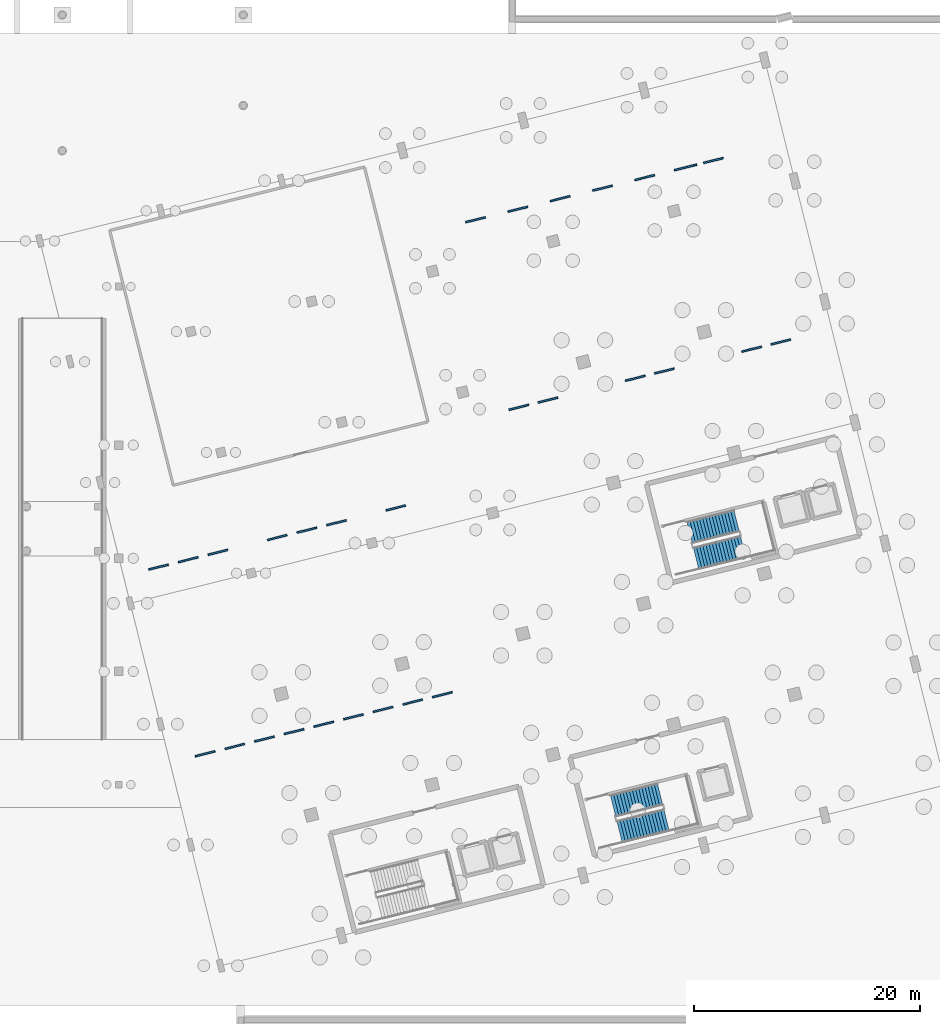
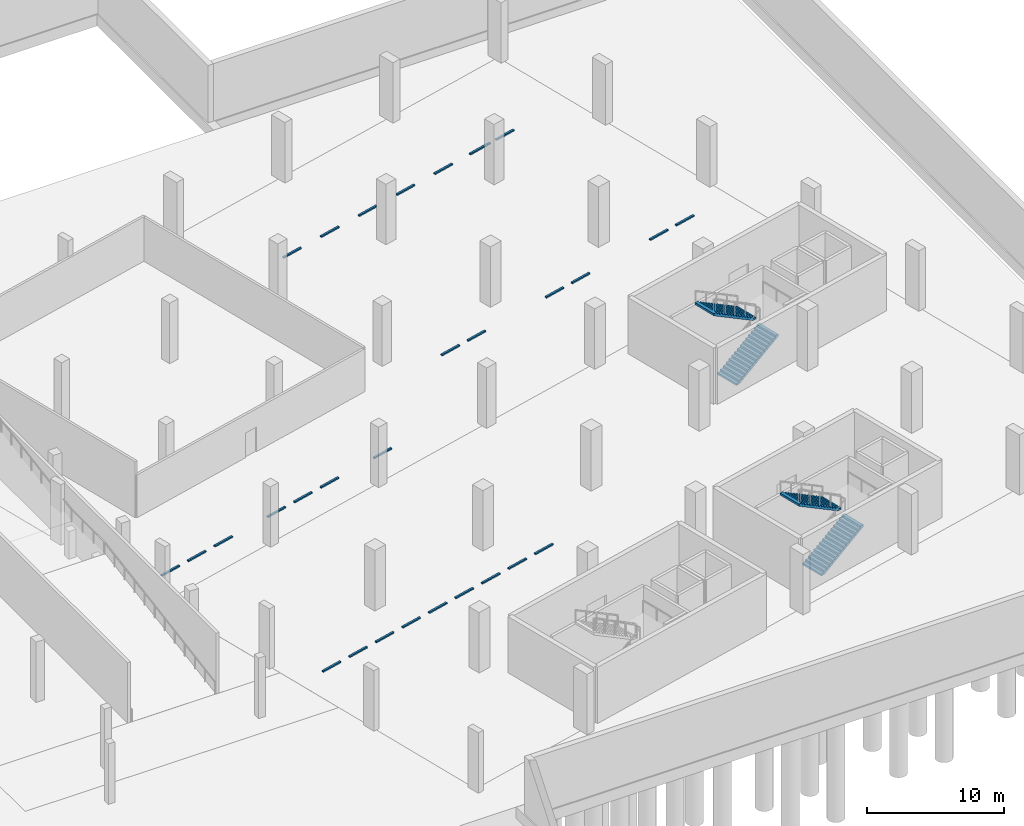
# One storey, part 58 of 65: 30 discrete accessories, 4 stair flights, 2 elements without a shape of their own.
"""IFC4 building model written with IfcOpenShell, lengths in metres."""

import ifcopenshell
import ifcopenshell.guid

model = None  # the IFC model being written
_history = None  # IfcOwnerHistory: only IFC2X3 demands one
_inside = {}  # id of a spatial element -> (the spatial element, [elements in it])
_under = {}  # id of a project, library or spatial element -> (it, [spatial elements below it])
_declared = {}  # id of a project -> (the project, [libraries it declares])
_typed = {}  # id of a type object -> (the type object, [elements of that type])
_made_of = {}  # id of a material, layer set ... -> (it, [elements and type objects made of it])


def new_model(schema):
    """Start an empty IFC model of exactly this schema.

    Asked for "IFC4X3", IfcOpenShell would pick the latest addendum, in which some entities
    have other attributes; the version numbers below select the first issue.
    IFC2X3 requires an IfcOwnerHistory on every rooted entity: one is made here for all.
    """
    global model, _history
    if schema == "IFC4X3":
        model = ifcopenshell.file(schema_version=(4, 3, 0, 0))
    else:
        model = ifcopenshell.file(schema=schema)
    _inside.clear()
    _under.clear()
    _declared.clear()
    _typed.clear()
    _made_of.clear()
    _history = None
    if model.schema == "IFC2X3":
        org = make("IfcOrganization", Name="unknown")
        user = make(
            "IfcPersonAndOrganization",
            ThePerson=make("IfcPerson", FamilyName="unknown"),
            TheOrganization=org,
        )
        app = make(
            "IfcApplication",
            ApplicationDeveloper=org,
            Version="unknown",
            ApplicationFullName="unknown",
            ApplicationIdentifier="unknown",
        )
        _history = make(
            "IfcOwnerHistory",
            OwningUser=user,
            OwningApplication=app,
            ChangeAction="ADDED",
            CreationDate=0,
        )
    return model


def make(cls, **values):
    """One entity of the class cls with the attributes given. An attribute that is None is left unset."""
    return model.create_entity(
        cls, **{name: value for name, value in values.items() if value is not None}
    )


def rooted(cls, **values):
    """An entity with a GlobalId (a new one), such as an element, a storey or a relation."""
    return make(cls, GlobalId=ifcopenshell.guid.new(), OwnerHistory=_history, **values)


def si_unit(unit_type, name, prefix=None):
    """IfcSIUnit, for example si_unit("LENGTHUNIT", "METRE", prefix="MILLI")."""
    return make("IfcSIUnit", UnitType=unit_type, Prefix=prefix, Name=name)


def assignment(units):
    """IfcUnitAssignment: the units of a project."""
    return None if units is None else make("IfcUnitAssignment", Units=units)


def point(xyz):
    """IfcCartesianPoint."""
    return None if xyz is None else make("IfcCartesianPoint", Coordinates=xyz)


def direction(xyz):
    """IfcDirection."""
    return None if xyz is None else make("IfcDirection", DirectionRatios=xyz)


def frame(location, z_axis=None, x_axis=None):
    """IfcAxis2Placement3D, a coordinate frame: its origin and axes. An axis left out is left unset."""
    return make(
        "IfcAxis2Placement3D",
        Location=point(location),
        Axis=direction(z_axis),
        RefDirection=direction(x_axis),
    )


def frame_2d(location, x_axis=None):
    """IfcAxis2Placement2D, a coordinate frame in the plane: its origin and x axis."""
    return make(
        "IfcAxis2Placement2D", Location=point(location), RefDirection=direction(x_axis)
    )


def origin():
    """The frame at (0, 0, 0) with its axes left unset."""
    return frame((0.0, 0.0, 0.0))


def origin_2d():
    """The frame at (0, 0) in the plane with its x axis left unset."""
    return frame_2d((0.0, 0.0))


def place(relative_to, where):
    """IfcLocalPlacement: puts the frame where relative to a parent placement (None: the world)."""
    return make(
        "IfcLocalPlacement", PlacementRelTo=relative_to, RelativePlacement=where
    )


def context(
    kind, dimensions, precision=None, world=None, true_north=None, identifier=None
):
    """IfcGeometricRepresentationContext, for example the 3D "Model" context."""
    return make(
        "IfcGeometricRepresentationContext",
        ContextIdentifier=identifier,
        ContextType=kind,
        CoordinateSpaceDimension=dimensions,
        Precision=precision,
        WorldCoordinateSystem=world,
        TrueNorth=true_north,
    )


def subcontext(parent, identifier, kind, view, scale=None):
    """IfcGeometricRepresentationSubContext, for example "Body" below "Model"."""
    return make(
        "IfcGeometricRepresentationSubContext",
        ContextIdentifier=identifier,
        ContextType=kind,
        ParentContext=parent,
        TargetScale=scale,
        TargetView=view,
    )


def project(units=None, contexts=None):
    """IfcProject with its units and contexts."""
    return rooted(
        "IfcProject",
        Name="project",
        RepresentationContexts=contexts,
        UnitsInContext=assignment(units),
    )


def spatial(cls, under=None, at=None, **own):
    """A site, building, storey or space (cls), placed at a placement, below another one or the project."""
    s = rooted(cls, ObjectPlacement=at, **own)
    if under is not None:
        _under.setdefault(under.id(), (under, []))[1].append(s)
    return s


def polyline(points):
    """IfcPolyline through the points."""
    return make("IfcPolyline", Points=[point(p) for p in points])


def profile(cls, at=None, kind="AREA", **sizes):
    """A parametric profile (cls). Its sizes go by their IFC names, for example OverallWidth=200.0."""
    return make(cls, ProfileType=kind, Position=at, **sizes)


def rectangle(**sizes):
    """IfcRectangleProfileDef."""
    return profile("IfcRectangleProfileDef", **sizes)


def outline(outer, holes=None, kind="AREA"):
    """IfcArbitraryClosedProfileDef: a profile drawn as a closed curve; with holes, ...WithVoids."""
    if holes is None:
        return make("IfcArbitraryClosedProfileDef", ProfileType=kind, OuterCurve=outer)
    return make(
        "IfcArbitraryProfileDefWithVoids",
        ProfileType=kind,
        OuterCurve=outer,
        InnerCurves=holes,
    )


def extrude(swept, where, along, depth):
    """IfcExtrudedAreaSolid: the profile swept, set in the frame where, extruded along a direction by depth."""
    return make(
        "IfcExtrudedAreaSolid",
        SweptArea=swept,
        Position=where,
        ExtrudedDirection=direction(along),
        Depth=depth,
    )


def shape(context_of_items, identifier, shape_type, items):
    """IfcShapeRepresentation: the items that make up one representation, for example the "Body"."""
    return make(
        "IfcShapeRepresentation",
        ContextOfItems=context_of_items,
        RepresentationIdentifier=identifier,
        RepresentationType=shape_type,
        Items=items,
    )


def material(Name=None, Category=None):
    """IfcMaterial."""
    return make("IfcMaterial", Name=Name, Category=Category)


def made_of(thing, what):
    """Note that an element or type object is made of a material, layer set ...; save() writes the relation."""
    if what is not None:
        _made_of.setdefault(what.id(), (what, []))[1].append(thing)
    return thing


def type_object(cls, material=None, **own):
    """A type object (cls), such as IfcWallType, which elements share."""
    return made_of(rooted(cls, **own), material)


def element(
    cls,
    number,
    at=None,
    inside=None,
    cuts=None,
    type_object=None,
    material=None,
    context=None,
    identifier="Body",
    shape_type=None,
    held_by="IfcProductDefinitionShape",
    body=None,
    shapes=None,
    **own,
):
    """One element of the class cls, such as IfcWall. Its Tag is "e" and its number.

    at: its placement. inside: the storey or other place that contains it. cuts: it is an
    opening in that element (IfcRelVoidsElement). A single representation is given by context,
    identifier, shape_type and body (its items); several are given by shapes. held_by: the class
    of the entity that holds the representations. save() writes the other relations.
    """
    e = rooted(cls, Tag="e%d" % number, ObjectPlacement=at, **own)
    if body is not None:
        shapes = [shape(context, identifier, shape_type, body)]
    if shapes is not None:
        e.Representation = make(held_by, Representations=shapes)
    if inside is not None:
        _inside.setdefault(inside.id(), (inside, []))[1].append(e)
    if cuts is not None:
        rooted(
            "IfcRelVoidsElement", RelatingBuildingElement=cuts, RelatedOpeningElement=e
        )
    if type_object is not None:
        _typed.setdefault(type_object.id(), (type_object, []))[1].append(e)
    return made_of(e, material)


def aggregate(whole, parts):
    """IfcRelAggregates: a whole, such as a stair, and the parts it consists of."""
    return rooted("IfcRelAggregates", RelatingObject=whole, RelatedObjects=parts)


def save(model, path):
    """Write the relations noted so far, then the file.

    IfcRelAggregates (storeys below a building ...), IfcRelContainedInSpatialStructure (elements
    in a storey), IfcRelDefinesByType, IfcRelAssociatesMaterial and IfcRelDeclares: one each for
    every whole, place, type object, material and project.
    """
    for whole, parts in _under.values():
        aggregate(whole, parts)
    for where, things in _inside.values():
        rooted(
            "IfcRelContainedInSpatialStructure",
            RelatedElements=things,
            RelatingStructure=where,
        )
    for kind, things in _typed.values():
        rooted("IfcRelDefinesByType", RelatedObjects=things, RelatingType=kind)
    for what, things in _made_of.values():
        rooted("IfcRelAssociatesMaterial", RelatedObjects=things, RelatingMaterial=what)
    for by, libraries in _declared.values():
        rooted("IfcRelDeclares", RelatingContext=by, RelatedDefinitions=libraries)
    model.write(path)


model = new_model("IFC4")

# Units and contexts
model_context = context("Model", 3, precision=1e-05, world=origin(), true_north=direction((0.0, 1.0)))
body_context = subcontext(model_context, "Body", "Model", "MODEL_VIEW")
ifc_project = project(units=[si_unit("LENGTHUNIT", "METRE"), si_unit("AREAUNIT", "SQUARE_METRE"), si_unit("VOLUMEUNIT", "CUBIC_METRE"), si_unit("PLANEANGLEUNIT", "RADIAN"), si_unit("MASSUNIT", "GRAM", prefix="KILO")], contexts=[model_context])

# Site, building, storey
site_placement = place(None, origin())
site = spatial("IfcSite", under=ifc_project, at=site_placement, CompositionType="ELEMENT")
building_placement = place(site_placement, origin())
building = spatial("IfcBuilding", under=site, at=building_placement, Name="Khorjan Park Terminus", CompositionType="ELEMENT")
storey_placement = place(building_placement, frame((0.0, 0.0, -5.4)))
storey = spatial("IfcBuildingStorey", under=building, at=storey_placement, Name="B1", CompositionType="ELEMENT", Elevation=-5.4)

# Stair, stair flights
ifc_material_1 = material(Name="Concrete C40/50", Category="concrete")
stair_type = type_object("IfcStairType", Name="STR-CORE-200", PredefinedType="HALF_TURN_STAIR", material=ifc_material_1)
stair_1_placement = place(storey_placement, origin())
stair_1 = element("IfcStair", 1, at=stair_1_placement, inside=storey, type_object=stair_type, Name="B1 Operations North-East Firefighting Core exit stair ST-04", PredefinedType="HALF_TURN_STAIR")
stair_flight_type = type_object("IfcStairFlightType", Name="FLT-STC-20", PredefinedType="STRAIGHT", material=ifc_material_1)
stair_flight_1_placement = place(storey_placement, frame((208.0033, 37.9803, 0.0), z_axis=(0.0, 0.0, 1.0), x_axis=(0.970295726276, 0.2419218956, 0.0)))
stair_flight_1 = element("IfcStairFlight", 2, at=stair_flight_1_placement, type_object=stair_flight_type, Name="ST-04 flight 1", NumberOfRisers=16, NumberOfTreads=15, PredefinedType="STRAIGHT", RiserHeight=0.16875, TreadLength=0.285, context=body_context, shape_type="SweptSolid", body=[
    extrude(outline(polyline([(0.0, 0.0), (0.0, 0.1688), (0.285, 0.1688), (0.285, 0.3375), (0.57, 0.3375), (0.57, 0.5063), (0.855, 0.5063), (0.855, 0.675), (1.14, 0.675), (1.14, 0.8438), (1.425, 0.8438), (1.425, 1.0125), (1.71, 1.0125), (1.71, 1.1813), (1.995, 1.1813), (1.995, 1.35), (2.28, 1.35), (2.28, 1.5188), (2.565, 1.5188), (2.565, 1.6875), (2.85, 1.6875), (2.85, 1.8563), (3.135, 1.8563), (3.135, 2.025), (3.42, 2.025), (3.42, 2.1938), (3.705, 2.1938), (3.705, 2.3625), (3.99, 2.3625), (3.99, 2.5312), (4.275, 2.5312), (4.275, 2.7), (4.275, 2.3453), (0.314, 0.0), (0.0, 0.0)])), frame((0.0, 1.0, 0.0), z_axis=(0.0, -1.0, 0.0), x_axis=(1.0, 0.0, 0.0)), (0.0, 0.0, 1.0), 2.0),
])
stair_flight_2_placement = place(storey_placement, frame((211.5804, 41.3044, 2.7), z_axis=(0.0, 0.0, 1.0), x_axis=(-0.970295726276, -0.2419218956, 0.0)))
stair_flight_2 = element("IfcStairFlight", 3, at=stair_flight_2_placement, type_object=stair_flight_type, Name="ST-04 flight 2", NumberOfRisers=16, NumberOfTreads=15, PredefinedType="STRAIGHT", RiserHeight=0.16875, TreadLength=0.285, context=body_context, shape_type="SweptSolid", body=[
    extrude(outline(polyline([(0.0, 0.0), (0.0, 0.1688), (0.285, 0.1688), (0.285, 0.3375), (0.57, 0.3375), (0.57, 0.5063), (0.855, 0.5063), (0.855, 0.675), (1.14, 0.675), (1.14, 0.8438), (1.425, 0.8438), (1.425, 1.0125), (1.71, 1.0125), (1.71, 1.1813), (1.995, 1.1813), (1.995, 1.35), (2.28, 1.35), (2.28, 1.5188), (2.565, 1.5188), (2.565, 1.6875), (2.85, 1.6875), (2.85, 1.8563), (3.135, 1.8563), (3.135, 2.025), (3.42, 2.025), (3.42, 2.1938), (3.705, 2.1938), (3.705, 2.3625), (3.99, 2.3625), (3.99, 2.5312), (4.275, 2.5312), (4.275, 2.7), (4.275, 2.3453), (0.314, 0.0), (0.0, 0.0)])), frame((0.0, 1.0, 0.0), z_axis=(0.0, -1.0, 0.0), x_axis=(1.0, 0.0, 0.0)), (0.0, 0.0, 1.0), 2.0),
])
aggregate(stair_1, [stair_flight_1, stair_flight_2])

stair_2_placement = place(storey_placement, origin())
stair_2 = element("IfcStair", 4, at=stair_2_placement, inside=storey, type_object=stair_type, Name="B1 Operations Central Command Core exit stair ST-05", PredefinedType="HALF_TURN_STAIR")
stair_flight_3_placement = place(storey_placement, frame((201.2455, 13.828, 0.0), z_axis=(0.0, 0.0, 1.0), x_axis=(0.970295726276, 0.2419218956, 0.0)))
stair_flight_3 = element("IfcStairFlight", 5, at=stair_flight_3_placement, type_object=stair_flight_type, Name="ST-05 flight 1", NumberOfRisers=16, NumberOfTreads=15, PredefinedType="STRAIGHT", RiserHeight=0.16875, TreadLength=0.285, context=body_context, shape_type="SweptSolid", body=[
    extrude(outline(polyline([(0.0, 0.0), (0.0, 0.1688), (0.285, 0.1688), (0.285, 0.3375), (0.57, 0.3375), (0.57, 0.5063), (0.855, 0.5063), (0.855, 0.675), (1.14, 0.675), (1.14, 0.8438), (1.425, 0.8438), (1.425, 1.0125), (1.71, 1.0125), (1.71, 1.1813), (1.995, 1.1813), (1.995, 1.35), (2.28, 1.35), (2.28, 1.5188), (2.565, 1.5188), (2.565, 1.6875), (2.85, 1.6875), (2.85, 1.8563), (3.135, 1.8563), (3.135, 2.025), (3.42, 2.025), (3.42, 2.1938), (3.705, 2.1938), (3.705, 2.3625), (3.99, 2.3625), (3.99, 2.5312), (4.275, 2.5312), (4.275, 2.7), (4.275, 2.3453), (0.314, 0.0), (0.0, 0.0)])), frame((0.0, 1.0, 0.0), z_axis=(0.0, -1.0, 0.0), x_axis=(1.0, 0.0, 0.0)), (0.0, 0.0, 1.0), 2.0),
])
stair_flight_4_placement = place(storey_placement, frame((204.8226, 17.1521, 2.7), z_axis=(0.0, 0.0, 1.0), x_axis=(-0.970295726276, -0.2419218956, 0.0)))
stair_flight_4 = element("IfcStairFlight", 6, at=stair_flight_4_placement, type_object=stair_flight_type, Name="ST-05 flight 2", NumberOfRisers=16, NumberOfTreads=15, PredefinedType="STRAIGHT", RiserHeight=0.16875, TreadLength=0.285, context=body_context, shape_type="SweptSolid", body=[
    extrude(outline(polyline([(0.0, 0.0), (0.0, 0.1688), (0.285, 0.1688), (0.285, 0.3375), (0.57, 0.3375), (0.57, 0.5063), (0.855, 0.5063), (0.855, 0.675), (1.14, 0.675), (1.14, 0.8438), (1.425, 0.8438), (1.425, 1.0125), (1.71, 1.0125), (1.71, 1.1813), (1.995, 1.1813), (1.995, 1.35), (2.28, 1.35), (2.28, 1.5188), (2.565, 1.5188), (2.565, 1.6875), (2.85, 1.6875), (2.85, 1.8563), (3.135, 1.8563), (3.135, 2.025), (3.42, 2.025), (3.42, 2.1938), (3.705, 2.1938), (3.705, 2.3625), (3.99, 2.3625), (3.99, 2.5312), (4.275, 2.5312), (4.275, 2.7), (4.275, 2.3453), (0.314, 0.0), (0.0, 0.0)])), frame((0.0, 1.0, 0.0), z_axis=(0.0, -1.0, 0.0), x_axis=(1.0, 0.0, 0.0)), (0.0, 0.0, 1.0), 2.0),
])
aggregate(stair_2, [stair_flight_3, stair_flight_4])

# Discrete accessories
ifc_material_2 = material(Name="Precast Concrete C40/50", Category="concrete")
discrete_accessory_type = type_object("IfcDiscreteAccessoryType", Name="ACC-WHL-STP", PredefinedType="ANCHORPLATE", material=ifc_material_2)
for number, where, z_axis, x_axis, name in (
    (7, (164.6294, 20.7246, 0.0), (0.0, 0.0, 1.0), (0.970295726276, 0.2419218956, 0.0), "Basement parking bay precast wheel stop WS-01 (1)"),
    (8, (167.2492, 21.3778, 0.0), (0.0, 0.0, 1.0), (0.970295726276, 0.2419218956, 0.0), "Basement parking bay precast wheel stop WS-01 (2)"),
    (9, (169.869, 22.031, 0.0), (0.0, 0.0, 1.0), (0.970295726276, 0.2419218956, 0.0), "Basement parking bay precast wheel stop WS-01 (3)"),
    (10, (172.4888, 22.6842, 0.0), (0.0, 0.0, 1.0), (0.970295726276, 0.2419218956, 0.0), "Basement parking bay precast wheel stop WS-01 (4)"),
    (11, (175.1086, 23.3374, 0.0), (0.0, 0.0, 1.0), (0.970295726276, 0.2419218956, 0.0), "Basement parking bay precast wheel stop WS-01 (5)"),
    (12, (177.7284, 23.9906, 0.0), (0.0, 0.0, 1.0), (0.970295726276, 0.2419218956, 0.0), "Basement parking bay precast wheel stop WS-01 (6)"),
    (13, (180.3482, 24.6438, 0.0), (0.0, 0.0, 1.0), (0.970295726276, 0.2419218956, 0.0), "Basement parking bay precast wheel stop WS-01 (7)"),
    (14, (182.968, 25.2969, 0.0), (0.0, 0.0, 1.0), (0.970295726276, 0.2419218956, 0.0), "Basement parking bay precast wheel stop WS-01 (8)"),
    (15, (185.5878, 25.9501, 0.0), (0.0, 0.0, 1.0), (0.970295726276, 0.2419218956, 0.0), "Basement parking bay precast wheel stop WS-01 (9)"),
    (16, (160.5167, 37.2196, 0.0), (0.0, 0.0, 1.0), (0.970295726276, 0.2419218956, 0.0), "Basement parking bay precast wheel stop WS-01 (10)"),
    (17, (163.1365, 37.8728, 0.0), (0.0, 0.0, 1.0), (0.970295726276, 0.2419218956, 0.0), "Basement parking bay precast wheel stop WS-01 (11)"),
    (18, (165.7563, 38.526, 0.0), (0.0, 0.0, 1.0), (0.970295726276, 0.2419218956, 0.0), "Basement parking bay precast wheel stop WS-01 (12)"),
    (19, (170.9959, 39.8324, 0.0), (0.0, 0.0, 1.0), (0.970295726276, 0.2419218956, 0.0), "Basement parking bay precast wheel stop WS-01 (13)"),
    (20, (173.6157, 40.4856, 0.0), (0.0, 0.0, 1.0), (0.970295726276, 0.2419218956, 0.0), "Basement parking bay precast wheel stop WS-01 (14)"),
    (21, (176.2355, 41.1388, 0.0), (0.0, 0.0, 1.0), (0.970295726276, 0.2419218956, 0.0), "Basement parking bay precast wheel stop WS-01 (15)"),
    (22, (181.4751, 42.4452, 0.0), (0.0, 0.0, 1.0), (0.970295726276, 0.2419218956, 0.0), "Basement parking bay precast wheel stop WS-01 (16)"),
    (23, (192.3463, 51.3393, 0.0), (0.0, 0.0, 1.0), (0.970295726276, 0.2419218956, 0.0), "Basement parking bay precast wheel stop WS-01 (17)"),
    (24, (194.9176, 51.9804, 0.0), (0.0, 0.0, 1.0), (0.970295726276, 0.2419218956, 0.0), "Basement parking bay precast wheel stop WS-01 (18)"),
    (25, (202.6315, 53.9037, 0.0), (0.0, 0.0, 1.0), (0.970295726276, 0.2419218956, 0.0), "Basement parking bay precast wheel stop WS-01 (19)"),
    (26, (205.2027, 54.5448, 0.0), (0.0, 0.0, 1.0), (0.970295726276, 0.2419218956, 0.0), "Basement parking bay precast wheel stop WS-01 (20)"),
    (27, (212.9166, 56.4681, 0.0), (0.0, 0.0, 1.0), (0.970295726276, 0.2419218956, 0.0), "Basement parking bay precast wheel stop WS-01 (21)"),
    (28, (215.4879, 57.1092, 0.0), (0.0, 0.0, 1.0), (0.970295726276, 0.2419218956, 0.0), "Basement parking bay precast wheel stop WS-01 (22)"),
    (29, (188.5247, 67.9069, 0.0), (0.0, 0.0, 1.0), (0.970295726276, 0.2419218956, 0.0), "Basement accessible parking bay precast wheel stop WS-01 (23)"),
    (30, (192.2604, 68.8383, 0.0), (0.0, 0.0, 1.0), (0.970295726276, 0.2419218956, 0.0), "Basement accessible parking bay precast wheel stop WS-01 (24)"),
    (31, (195.996, 69.7697, 0.0), (0.0, 0.0, 1.0), (0.970295726276, 0.2419218956, 0.0), "Basement accessible parking bay precast wheel stop WS-01 (25)"),
    (32, (199.7317, 70.7011, 0.0), (0.0, 0.0, 1.0), (0.970295726276, 0.2419218956, 0.0), "Basement accessible parking bay precast wheel stop WS-01 (26)"),
    (33, (203.4673, 71.6325, 0.0), (0.0, 0.0, 1.0), (0.970295726276, 0.2419218956, 0.0), "Basement parking bay precast wheel stop WS-01 (27)"),
    (34, (207.2029, 72.5639, 0.0), (0.0, 0.0, 1.0), (0.970295726276, 0.2419218956, 0.0), "Basement parking bay precast wheel stop WS-01 (28)"),
    (35, (206.9604, 72.5035, 0.0), (0.0, 0.0, 1.0), (0.970295726276, 0.2419218956, 0.0), "Basement parking bay precast wheel stop WS-01 (29)"),
    (36, (209.5317, 73.1446, 0.0), (0.0, 0.0, 1.0), (0.970295726276, 0.2419218956, 0.0), "Basement parking bay precast wheel stop WS-01 (30)"),
):
    element("IfcDiscreteAccessory", number, at=place(storey_placement, frame(where, z_axis=z_axis, x_axis=x_axis)), inside=storey, type_object=discrete_accessory_type, Name=name, PredefinedType="ANCHORPLATE", context=body_context, shape_type="SweptSolid", body=[
        extrude(rectangle(XDim=1.8, YDim=0.16, at=origin_2d()), origin(), (0.0, 0.0, 1.0), 0.12),
    ])

save(model, "model.ifc")
